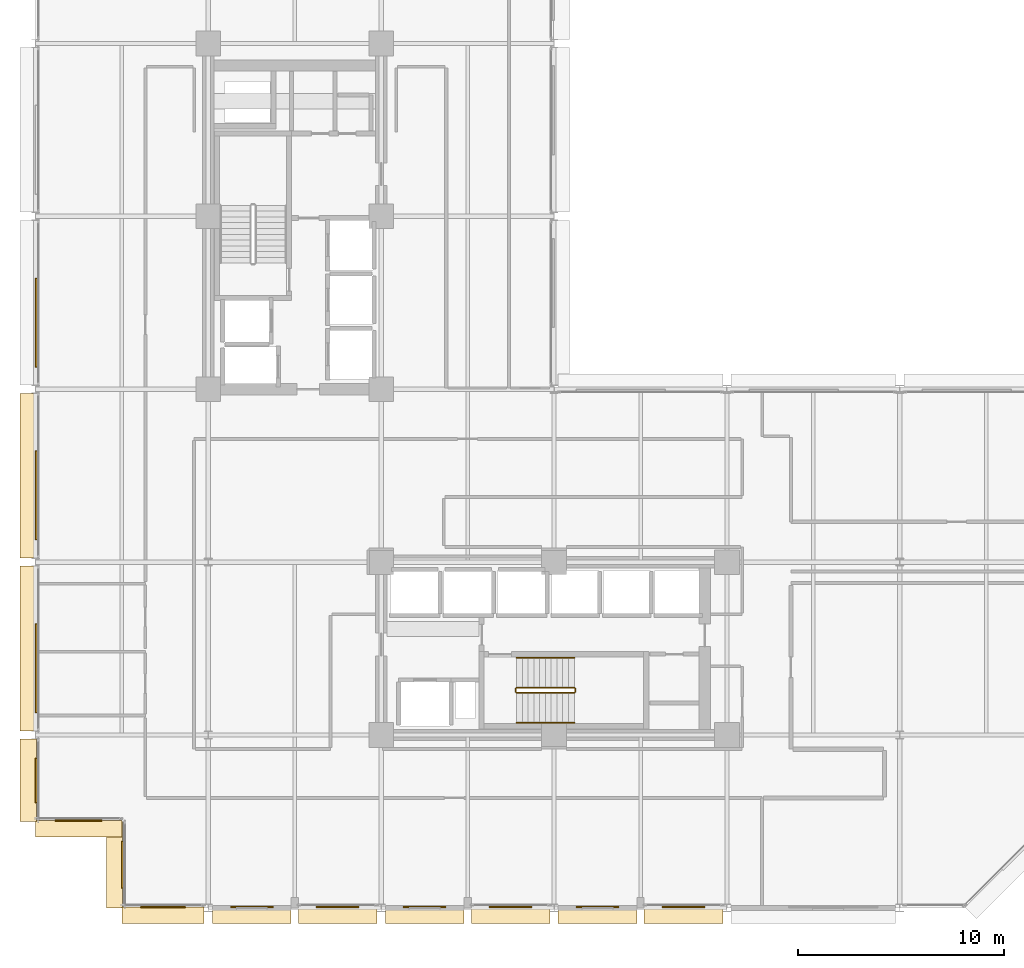
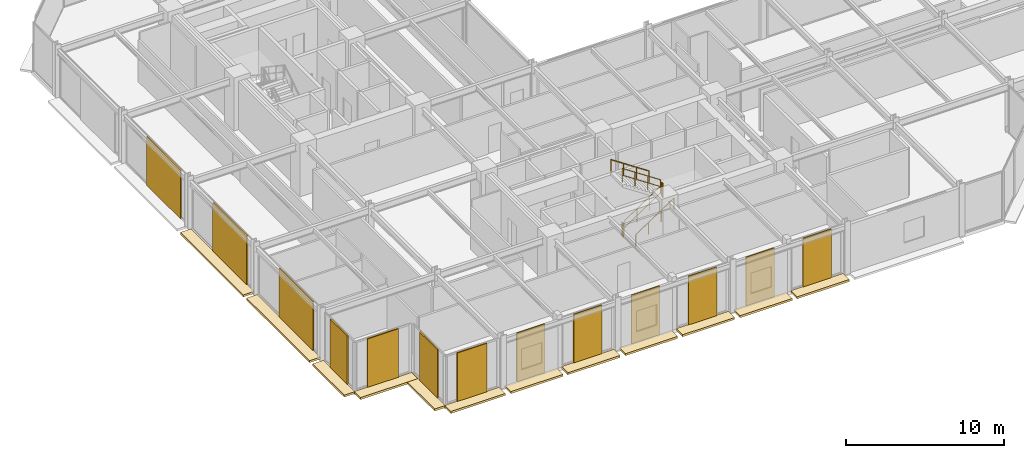
# One storey, part 37 of 40: 25 coverings, 6 railings.
"""IFC4 building model written with IfcOpenShell, lengths in metres."""

import ifcopenshell
import ifcopenshell.guid

model = None  # the IFC model being written
_history = None  # IfcOwnerHistory: only IFC2X3 demands one
_inside = {}  # id of a spatial element -> (the spatial element, [elements in it])
_under = {}  # id of a project, library or spatial element -> (it, [spatial elements below it])
_declared = {}  # id of a project -> (the project, [libraries it declares])
_typed = {}  # id of a type object -> (the type object, [elements of that type])
_made_of = {}  # id of a material, layer set ... -> (it, [elements and type objects made of it])


def new_model(schema):
    """Start an empty IFC model of exactly this schema.

    Asked for "IFC4X3", IfcOpenShell would pick the latest addendum, in which some entities
    have other attributes; the version numbers below select the first issue.
    IFC2X3 requires an IfcOwnerHistory on every rooted entity: one is made here for all.
    """
    global model, _history
    if schema == "IFC4X3":
        model = ifcopenshell.file(schema_version=(4, 3, 0, 0))
    else:
        model = ifcopenshell.file(schema=schema)
    _inside.clear()
    _under.clear()
    _declared.clear()
    _typed.clear()
    _made_of.clear()
    _history = None
    if model.schema == "IFC2X3":
        org = make("IfcOrganization", Name="unknown")
        user = make(
            "IfcPersonAndOrganization",
            ThePerson=make("IfcPerson", FamilyName="unknown"),
            TheOrganization=org,
        )
        app = make(
            "IfcApplication",
            ApplicationDeveloper=org,
            Version="unknown",
            ApplicationFullName="unknown",
            ApplicationIdentifier="unknown",
        )
        _history = make(
            "IfcOwnerHistory",
            OwningUser=user,
            OwningApplication=app,
            ChangeAction="ADDED",
            CreationDate=0,
        )
    return model


def make(cls, **values):
    """One entity of the class cls with the attributes given. An attribute that is None is left unset."""
    return model.create_entity(
        cls, **{name: value for name, value in values.items() if value is not None}
    )


def rooted(cls, **values):
    """An entity with a GlobalId (a new one), such as an element, a storey or a relation."""
    return make(cls, GlobalId=ifcopenshell.guid.new(), OwnerHistory=_history, **values)


def si_unit(unit_type, name, prefix=None):
    """IfcSIUnit, for example si_unit("LENGTHUNIT", "METRE", prefix="MILLI")."""
    return make("IfcSIUnit", UnitType=unit_type, Prefix=prefix, Name=name)


def assignment(units):
    """IfcUnitAssignment: the units of a project."""
    return None if units is None else make("IfcUnitAssignment", Units=units)


def point(xyz):
    """IfcCartesianPoint."""
    return None if xyz is None else make("IfcCartesianPoint", Coordinates=xyz)


def direction(xyz):
    """IfcDirection."""
    return None if xyz is None else make("IfcDirection", DirectionRatios=xyz)


def frame(location, z_axis=None, x_axis=None):
    """IfcAxis2Placement3D, a coordinate frame: its origin and axes. An axis left out is left unset."""
    return make(
        "IfcAxis2Placement3D",
        Location=point(location),
        Axis=direction(z_axis),
        RefDirection=direction(x_axis),
    )


def frame_2d(location, x_axis=None):
    """IfcAxis2Placement2D, a coordinate frame in the plane: its origin and x axis."""
    return make(
        "IfcAxis2Placement2D", Location=point(location), RefDirection=direction(x_axis)
    )


def origin():
    """The frame at (0, 0, 0) with its axes left unset."""
    return frame((0.0, 0.0, 0.0))


def origin_2d():
    """The frame at (0, 0) in the plane with its x axis left unset."""
    return frame_2d((0.0, 0.0))


def place(relative_to, where):
    """IfcLocalPlacement: puts the frame where relative to a parent placement (None: the world)."""
    return make(
        "IfcLocalPlacement", PlacementRelTo=relative_to, RelativePlacement=where
    )


def context(
    kind, dimensions, precision=None, world=None, true_north=None, identifier=None
):
    """IfcGeometricRepresentationContext, for example the 3D "Model" context."""
    return make(
        "IfcGeometricRepresentationContext",
        ContextIdentifier=identifier,
        ContextType=kind,
        CoordinateSpaceDimension=dimensions,
        Precision=precision,
        WorldCoordinateSystem=world,
        TrueNorth=true_north,
    )


def subcontext(parent, identifier, kind, view, scale=None):
    """IfcGeometricRepresentationSubContext, for example "Body" below "Model"."""
    return make(
        "IfcGeometricRepresentationSubContext",
        ContextIdentifier=identifier,
        ContextType=kind,
        ParentContext=parent,
        TargetScale=scale,
        TargetView=view,
    )


def project(units=None, contexts=None):
    """IfcProject with its units and contexts."""
    return rooted(
        "IfcProject",
        Name="project",
        RepresentationContexts=contexts,
        UnitsInContext=assignment(units),
    )


def spatial(cls, under=None, at=None, **own):
    """A site, building, storey or space (cls), placed at a placement, below another one or the project."""
    s = rooted(cls, ObjectPlacement=at, **own)
    if under is not None:
        _under.setdefault(under.id(), (under, []))[1].append(s)
    return s


def polyline(points):
    """IfcPolyline through the points."""
    return make("IfcPolyline", Points=[point(p) for p in points])


def profile(cls, at=None, kind="AREA", **sizes):
    """A parametric profile (cls). Its sizes go by their IFC names, for example OverallWidth=200.0."""
    return make(cls, ProfileType=kind, Position=at, **sizes)


def rectangle(**sizes):
    """IfcRectangleProfileDef."""
    return profile("IfcRectangleProfileDef", **sizes)


def circle(**sizes):
    """IfcCircleProfileDef."""
    return profile("IfcCircleProfileDef", **sizes)


def outline(outer, holes=None, kind="AREA"):
    """IfcArbitraryClosedProfileDef: a profile drawn as a closed curve; with holes, ...WithVoids."""
    if holes is None:
        return make("IfcArbitraryClosedProfileDef", ProfileType=kind, OuterCurve=outer)
    return make(
        "IfcArbitraryProfileDefWithVoids",
        ProfileType=kind,
        OuterCurve=outer,
        InnerCurves=holes,
    )


def extrude(swept, where, along, depth):
    """IfcExtrudedAreaSolid: the profile swept, set in the frame where, extruded along a direction by depth."""
    return make(
        "IfcExtrudedAreaSolid",
        SweptArea=swept,
        Position=where,
        ExtrudedDirection=direction(along),
        Depth=depth,
    )


def shape(context_of_items, identifier, shape_type, items):
    """IfcShapeRepresentation: the items that make up one representation, for example the "Body"."""
    return make(
        "IfcShapeRepresentation",
        ContextOfItems=context_of_items,
        RepresentationIdentifier=identifier,
        RepresentationType=shape_type,
        Items=items,
    )


def material(Name=None, Category=None):
    """IfcMaterial."""
    return make("IfcMaterial", Name=Name, Category=Category)


def layer(
    of_material, thickness, ventilated=None, Name=None, Category=None, Priority=None
):
    """IfcMaterialLayer: one layer of a wall or slab, of a material (None: an air gap)."""
    return make(
        "IfcMaterialLayer",
        Material=of_material,
        LayerThickness=thickness,
        IsVentilated=ventilated,
        Name=Name,
        Category=Category,
        Priority=Priority,
    )


def layer_set(layers, Name=None):
    """IfcMaterialLayerSet."""
    return make("IfcMaterialLayerSet", MaterialLayers=layers, LayerSetName=Name)


def made_of(thing, what):
    """Note that an element or type object is made of a material, layer set ...; save() writes the relation."""
    if what is not None:
        _made_of.setdefault(what.id(), (what, []))[1].append(thing)
    return thing


def type_object(cls, material=None, **own):
    """A type object (cls), such as IfcWallType, which elements share."""
    return made_of(rooted(cls, **own), material)


def element(
    cls,
    number,
    at=None,
    inside=None,
    cuts=None,
    type_object=None,
    material=None,
    context=None,
    identifier="Body",
    shape_type=None,
    held_by="IfcProductDefinitionShape",
    body=None,
    shapes=None,
    **own,
):
    """One element of the class cls, such as IfcWall. Its Tag is "e" and its number.

    at: its placement. inside: the storey or other place that contains it. cuts: it is an
    opening in that element (IfcRelVoidsElement). A single representation is given by context,
    identifier, shape_type and body (its items); several are given by shapes. held_by: the class
    of the entity that holds the representations. save() writes the other relations.
    """
    e = rooted(cls, Tag="e%d" % number, ObjectPlacement=at, **own)
    if body is not None:
        shapes = [shape(context, identifier, shape_type, body)]
    if shapes is not None:
        e.Representation = make(held_by, Representations=shapes)
    if inside is not None:
        _inside.setdefault(inside.id(), (inside, []))[1].append(e)
    if cuts is not None:
        rooted(
            "IfcRelVoidsElement", RelatingBuildingElement=cuts, RelatedOpeningElement=e
        )
    if type_object is not None:
        _typed.setdefault(type_object.id(), (type_object, []))[1].append(e)
    return made_of(e, material)


def aggregate(whole, parts):
    """IfcRelAggregates: a whole, such as a stair, and the parts it consists of."""
    return rooted("IfcRelAggregates", RelatingObject=whole, RelatedObjects=parts)


def save(model, path):
    """Write the relations noted so far, then the file.

    IfcRelAggregates (storeys below a building ...), IfcRelContainedInSpatialStructure (elements
    in a storey), IfcRelDefinesByType, IfcRelAssociatesMaterial and IfcRelDeclares: one each for
    every whole, place, type object, material and project.
    """
    for whole, parts in _under.values():
        aggregate(whole, parts)
    for where, things in _inside.values():
        rooted(
            "IfcRelContainedInSpatialStructure",
            RelatedElements=things,
            RelatingStructure=where,
        )
    for kind, things in _typed.values():
        rooted("IfcRelDefinesByType", RelatedObjects=things, RelatingType=kind)
    for what, things in _made_of.values():
        rooted("IfcRelAssociatesMaterial", RelatedObjects=things, RelatingMaterial=what)
    for by, libraries in _declared.values():
        rooted("IfcRelDeclares", RelatingContext=by, RelatedDefinitions=libraries)
    model.write(path)


model = new_model("IFC4")

# Units and contexts
model_context = context("Model", 3, precision=1e-05, world=origin(), true_north=direction((0.0, 1.0)))
body_context = subcontext(model_context, "Body", "Model", "MODEL_VIEW")
ifc_project = project(units=[si_unit("LENGTHUNIT", "METRE"), si_unit("AREAUNIT", "SQUARE_METRE"), si_unit("VOLUMEUNIT", "CUBIC_METRE"), si_unit("PLANEANGLEUNIT", "RADIAN"), si_unit("MASSUNIT", "GRAM", prefix="KILO")], contexts=[model_context])

# Site, building, storey
site_placement = place(None, origin())
site = spatial("IfcSite", under=ifc_project, at=site_placement, CompositionType="ELEMENT")
building_placement = place(site_placement, origin())
building = spatial("IfcBuilding", under=site, at=building_placement, Name="Nerrivon Quay Data Exchange", CompositionType="ELEMENT")
storey_placement = place(building_placement, frame((0.0, 0.0, 109.0)))
storey = spatial("IfcBuildingStorey", under=building, at=storey_placement, Name="L25", CompositionType="ELEMENT", Elevation=109.0)

# Coverings
ifc_material_1 = material(Name="Architectural terracotta ceramic", Category="masonry")
ifc_layer_1 = layer(ifc_material_1, 0.159912109375)
ifc_layer_set_1 = layer_set([ifc_layer_1], Name="Architectural terracotta ceramic")
covering_type_1 = type_object("IfcCoveringType", Name="COV-BLD-TERR", PredefinedType="CLADDING", material=ifc_layer_set_1)
covering_1_placement = place(storey_placement, frame((0.0, 0.0, -0.159912109375)))
element("IfcCovering", 1, at=covering_1_placement, inside=storey, type_object=covering_type_1, Name="L25 Horizontal Terracotta SOLAR SCREEN Blade", PredefinedType="CLADDING", context=body_context, shape_type="SweptSolid", body=[
    extrude(outline(polyline([(33.39990234375, 0.0400390625), (29.574951171875, 0.0400390625), (29.574951171875, -0.75), (33.39990234375, -0.75), (33.39990234375, 0.0400390625)])), origin(), (0.0, 0.0, 1.0), 0.159912109375),
])
covering_2_placement = place(storey_placement, frame((0.0, 0.0, -0.159912109375)))
element("IfcCovering", 2, at=covering_2_placement, inside=storey, type_object=covering_type_1, Name="L25 Horizontal Terracotta SOLAR SCREEN Blade", PredefinedType="CLADDING", context=body_context, shape_type="SweptSolid", body=[
    extrude(outline(polyline([(29.22509765625, 0.0400390625), (25.39990234375, 0.0400390625), (25.39990234375, -0.75), (29.22509765625, -0.75), (29.22509765625, 0.0400390625)])), origin(), (0.0, 0.0, 1.0), 0.159912109375),
])
covering_3_placement = place(storey_placement, frame((0.0, 0.0, -0.159912109375)))
element("IfcCovering", 3, at=covering_3_placement, inside=storey, type_object=covering_type_1, Name="L25 Horizontal Terracotta SOLAR SCREEN Blade", PredefinedType="CLADDING", context=body_context, shape_type="SweptSolid", body=[
    extrude(outline(polyline([(25.0, 0.0400390625), (21.175048828125, 0.0400390625), (21.175048828125, -0.75), (25.0, -0.75), (25.0, 0.0400390625)])), origin(), (0.0, 0.0, 1.0), 0.159912109375),
])
covering_4_placement = place(storey_placement, frame((0.0, 0.0, -0.159912109375)))
element("IfcCovering", 4, at=covering_4_placement, inside=storey, type_object=covering_type_1, Name="L25 Horizontal Terracotta SOLAR SCREEN Blade", PredefinedType="CLADDING", context=body_context, shape_type="SweptSolid", body=[
    extrude(outline(polyline([(20.824951171875, 0.0400390625), (17.0, 0.0400390625), (17.0, -0.75), (20.824951171875, -0.75), (20.824951171875, 0.0400390625)])), origin(), (0.0, 0.0, 1.0), 0.159912109375),
])
covering_5_placement = place(storey_placement, frame((0.0, 0.0, -0.159912109375)))
element("IfcCovering", 5, at=covering_5_placement, inside=storey, type_object=covering_type_1, Name="L25 Horizontal Terracotta SOLAR SCREEN Blade", PredefinedType="CLADDING", context=body_context, shape_type="SweptSolid", body=[
    extrude(outline(polyline([(16.60009765625, 0.0400390625), (12.77490234375, 0.0400390625), (12.77490234375, -0.75), (16.60009765625, -0.75), (16.60009765625, 0.0400390625)])), origin(), (0.0, 0.0, 1.0), 0.159912109375),
])
covering_6_placement = place(storey_placement, frame((0.0, 0.0, -0.159912109375)))
element("IfcCovering", 6, at=covering_6_placement, inside=storey, type_object=covering_type_1, Name="L25 Horizontal Terracotta SOLAR SCREEN Blade", PredefinedType="CLADDING", context=body_context, shape_type="SweptSolid", body=[
    extrude(outline(polyline([(12.425048828125, 0.0400390625), (8.60009765625, 0.0400390625), (8.60009765625, -0.75), (12.425048828125, -0.75), (12.425048828125, 0.0400390625)])), origin(), (0.0, 0.0, 1.0), 0.159912109375),
])
covering_7_placement = place(storey_placement, frame((0.0, 0.0, -0.159912109375)))
element("IfcCovering", 7, at=covering_7_placement, inside=storey, type_object=covering_type_1, Name="L25 Horizontal Terracotta SOLAR SCREEN Blade", PredefinedType="CLADDING", context=body_context, shape_type="SweptSolid", body=[
    extrude(outline(polyline([(8.199951171875, 0.0400390625), (4.199951171875, 0.0400390625), (4.199951171875, -0.75), (8.199951171875, -0.75), (8.199951171875, 0.0400390625)])), origin(), (0.0, 0.0, 1.0), 0.159912109375),
])
covering_8_placement = place(storey_placement, frame((0.0, 0.0, -0.159912109375)))
element("IfcCovering", 8, at=covering_8_placement, inside=storey, type_object=covering_type_1, Name="L25 Horizontal Terracotta SOLAR SCREEN Blade", PredefinedType="CLADDING", context=body_context, shape_type="SweptSolid", body=[
    extrude(outline(polyline([(4.239990234375, 0.0), (4.239990234375, 4.199951171875), (3.449951171875, 4.199951171875), (3.449951171875, 0.0), (4.239990234375, 0.0)])), origin(), (0.0, 0.0, 1.0), 0.159912109375),
])
covering_9_placement = place(storey_placement, frame((0.0, 0.0, -0.159912109375)))
element("IfcCovering", 9, at=covering_9_placement, inside=storey, type_object=covering_type_1, Name="L25 Horizontal Terracotta SOLAR SCREEN Blade", PredefinedType="CLADDING", context=body_context, shape_type="SweptSolid", body=[
    extrude(outline(polyline([(4.199951171875, 4.239990234375), (0.0, 4.239990234375), (0.0, 3.449951171875), (4.199951171875, 3.449951171875), (4.199951171875, 4.239990234375)])), origin(), (0.0, 0.0, 1.0), 0.159912109375),
])
covering_10_placement = place(storey_placement, frame((0.0, 0.0, -0.159912109375)))
element("IfcCovering", 10, at=covering_10_placement, inside=storey, type_object=covering_type_1, Name="L25 Horizontal Terracotta SOLAR SCREEN Blade", PredefinedType="CLADDING", context=body_context, shape_type="SweptSolid", body=[
    extrude(outline(polyline([(0.0400390625, 4.199951171875), (0.0400390625, 8.199951171875), (-0.75, 8.199951171875), (-0.75, 4.199951171875), (0.0400390625, 4.199951171875)])), origin(), (0.0, 0.0, 1.0), 0.159912109375),
])
covering_11_placement = place(storey_placement, frame((0.0, 0.0, -0.159912109375)))
element("IfcCovering", 11, at=covering_11_placement, inside=storey, type_object=covering_type_1, Name="L25 Horizontal Terracotta SOLAR SCREEN Blade", PredefinedType="CLADDING", context=body_context, shape_type="SweptSolid", body=[
    extrude(outline(polyline([(0.0400390625, 8.60009765625), (0.0400390625, 16.60009765625), (-0.75, 16.60009765625), (-0.75, 8.60009765625), (0.0400390625, 8.60009765625)])), origin(), (0.0, 0.0, 1.0), 0.159912109375),
])
covering_12_placement = place(storey_placement, frame((0.0, 0.0, -0.159912109375)))
element("IfcCovering", 12, at=covering_12_placement, inside=storey, type_object=covering_type_1, Name="L25 Horizontal Terracotta SOLAR SCREEN Blade", PredefinedType="CLADDING", context=body_context, shape_type="SweptSolid", body=[
    extrude(outline(polyline([(0.0400390625, 17.0), (0.0400390625, 25.0), (-0.75, 25.0), (-0.75, 17.0), (0.0400390625, 17.0)])), origin(), (0.0, 0.0, 1.0), 0.159912109375),
])
ifc_layer_2 = layer(ifc_material_1, 0.090087890625)
ifc_layer_set_2 = layer_set([ifc_layer_2], Name="Architectural terracotta ceramic")
covering_type_2 = type_object("IfcCoveringType", Name="COV-SCR-TERR", PredefinedType="CLADDING", material=ifc_layer_set_2)
covering_13_placement = place(storey_placement, frame((31.487548828125, 0.044921875, 0.0), z_axis=(0.0, 0.0, 1.0), x_axis=(-1.0, 0.0, 0.0)))
element("IfcCovering", 13, at=covering_13_placement, inside=storey, type_object=covering_type_2, Name="L25 Perforated Terracotta SOLAR SCREEN Cassette", PredefinedType="CLADDING", context=body_context, shape_type="SweptSolid", body=[
    extrude(rectangle(XDim=2.06494140625, YDim=0.090087890625, at=origin_2d()), origin(), (0.0, 0.0, 1.0), 3.75),
])
covering_14_placement = place(storey_placement, frame((27.3125, 0.044921875, 0.0), z_axis=(0.0, 0.0, 1.0), x_axis=(-1.0, 0.0, 0.0)))
element("IfcCovering", 14, at=covering_14_placement, inside=storey, type_object=covering_type_2, Name="L25 Perforated Terracotta SOLAR SCREEN Cassette", PredefinedType="CLADDING", context=body_context, shape_type="SweptSolid", body=[
    extrude(rectangle(XDim=2.06591796875, YDim=0.090087890625, at=origin_2d()), origin(), (0.0, 0.0, 1.0), 3.75),
])
for number, where, z_axis, x_axis, name in (
    (15, (23.08740234375, 0.044921875, 0.0), (0.0, 0.0, 1.0), (-1.0, 0.0, 0.0), "L25 Perforated Terracotta SOLAR SCREEN Cassette"),
    (16, (18.91259765625, 0.044921875, 0.0), (0.0, 0.0, 1.0), (-1.0, 0.0, 0.0), "L25 Perforated Terracotta SOLAR SCREEN Cassette"),
):
    element("IfcCovering", number, at=place(storey_placement, frame(where, z_axis=z_axis, x_axis=x_axis)), inside=storey, type_object=covering_type_2, Name=name, PredefinedType="CLADDING", context=body_context, shape_type="SweptSolid", body=[
        extrude(rectangle(XDim=2.06494140625, YDim=0.090087890625, at=origin_2d()), origin(), (0.0, 0.0, 1.0), 3.75),
    ])
for number, where, z_axis, x_axis, name in (
    (17, (14.6875, 0.044921875, 0.0), (0.0, 0.0, 1.0), (-1.0, 0.0, 0.0), "L25 Perforated Terracotta SOLAR SCREEN Cassette"),
    (18, (10.512451171875, 0.044921875, 0.0), (0.0, 0.0, 1.0), (-1.0, 0.0, 0.0), "L25 Perforated Terracotta SOLAR SCREEN Cassette"),
):
    element("IfcCovering", number, at=place(storey_placement, frame(where, z_axis=z_axis, x_axis=x_axis)), inside=storey, type_object=covering_type_2, Name=name, PredefinedType="CLADDING", context=body_context, shape_type="SweptSolid", body=[
        extrude(rectangle(XDim=2.06591796875, YDim=0.090087890625, at=origin_2d()), origin(), (0.0, 0.0, 1.0), 3.75),
    ])
covering_15_placement = place(storey_placement, frame((6.199951171875, 0.044921875, 0.0), z_axis=(0.0, 0.0, 1.0), x_axis=(-1.0, 0.0, 0.0)))
element("IfcCovering", 19, at=covering_15_placement, inside=storey, type_object=covering_type_2, Name="L25 Perforated Terracotta SOLAR SCREEN Cassette", PredefinedType="CLADDING", context=body_context, shape_type="SweptSolid", body=[
    extrude(rectangle(XDim=2.159912109375, YDim=0.090087890625, at=origin_2d()), origin(), (0.0, 0.0, 1.0), 3.75),
])
for number, where, z_axis, x_axis, name in (
    (20, (4.2451171875, 2.10009765625, 0.0), (0.0, 0.0, 1.0), (0.0, 1.0, 0.0), "L25 Perforated Terracotta SOLAR SCREEN Cassette"),
    (21, (2.10009765625, 4.2451171875, 0.0), (0.0, 0.0, 1.0), (-1.0, 0.0, 0.0), "L25 Perforated Terracotta SOLAR SCREEN Cassette"),
):
    element("IfcCovering", number, at=place(storey_placement, frame(where, z_axis=z_axis, x_axis=x_axis)), inside=storey, type_object=covering_type_2, Name=name, PredefinedType="CLADDING", context=body_context, shape_type="SweptSolid", body=[
        extrude(rectangle(XDim=2.26806640625, YDim=0.090087890625, at=origin_2d()), origin(), (0.0, 0.0, 1.0), 3.75),
    ])
covering_16_placement = place(storey_placement, frame((0.044921875, 6.199951171875, 0.0), z_axis=(0.0, 0.0, 1.0), x_axis=(0.0, 1.0, 0.0)))
element("IfcCovering", 22, at=covering_16_placement, inside=storey, type_object=covering_type_2, Name="L25 Perforated Terracotta SOLAR SCREEN Cassette", PredefinedType="CLADDING", context=body_context, shape_type="SweptSolid", body=[
    extrude(rectangle(XDim=2.159912109375, YDim=0.090087890625, at=origin_2d()), origin(), (0.0, 0.0, 1.0), 3.75),
])
for number, where, z_axis, x_axis, name in (
    (23, (0.044921875, 11.639892578125, 0.0), (0.0, 0.0, 1.0), (0.0, 1.0, 0.0), "L25 Perforated Terracotta SOLAR SCREEN Cassette"),
    (24, (0.044921875, 20.0400390625, 0.0), (0.0, 0.0, 1.0), (0.0, 1.0, 0.0), "L25 Perforated Terracotta SOLAR SCREEN Cassette"),
    (25, (0.044921875, 28.43994140625, 0.0), (0.0, 0.0, 1.0), (0.0, 1.0, 0.0), "L25 Perforated Terracotta SOLAR SCREEN Cassette"),
):
    element("IfcCovering", number, at=place(storey_placement, frame(where, z_axis=z_axis, x_axis=x_axis)), inside=storey, type_object=covering_type_2, Name=name, PredefinedType="CLADDING", context=body_context, shape_type="SweptSolid", body=[
        extrude(rectangle(XDim=4.320068359375, YDim=0.090087890625, at=origin_2d()), origin(), (0.0, 0.0, 1.0), 3.75),
    ])

# Railings
ifc_material_2 = material(Name="Steel Grade C350L0 (350 MPa)", Category="steel")
railing_type_1 = type_object("IfcRailingType", Name="RAIL-HAND-HR1", PredefinedType="HANDRAIL", material=ifc_material_2)
railing_1_placement = place(storey_placement, frame((23.3798828125, 9.0, 0.186279296875)))
element("IfcRailing", 26, at=railing_1_placement, inside=storey, type_object=railing_type_1, Name="L25 ST02 stair handrail 1", PredefinedType="HANDRAIL", context=body_context, shape_type="SweptSolid", body=[
    extrude(circle(Radius=0.02392578125, at=origin_2d()), frame((0.0, 0.0, 0.8759765625), z_axis=(0.832452072856, 0.0, 0.554097055034), x_axis=(0.0, 1.0, 0.0)), (0.0, 0.0, 1.0), 3.363525390625),
    extrude(circle(Radius=0.02099609375, at=origin_2d()), origin(), (0.0, 0.0, 1.0), 0.851806640625),
    extrude(circle(Radius=0.02099609375, at=origin_2d()), frame((0.933349609375, 0.0, 0.621337890625)), (0.0, 0.0, 1.0), 0.851806640625),
    extrude(circle(Radius=0.02099609375, at=origin_2d()), frame((1.86669921875, 0.0, 1.242431640625)), (0.0, 0.0, 1.0), 0.851806640625),
    extrude(circle(Radius=0.02099609375, at=origin_2d()), frame((2.800048828125, 0.0, 1.86376953125)), (0.0, 0.0, 1.0), 0.851806640625),
])
railing_2_placement = place(storey_placement, frame((26.179931640625, 12.14990234375, 2.236328125)))
element("IfcRailing", 27, at=railing_2_placement, inside=storey, type_object=railing_type_1, Name="L25 ST02 stair handrail 2", PredefinedType="HANDRAIL", context=body_context, shape_type="SweptSolid", body=[
    extrude(circle(Radius=0.02392578125, at=origin_2d()), frame((0.0, 0.0, 0.8759765625), z_axis=(-0.832452072856, 0.0, 0.554097055034), x_axis=(0.0, -1.0, 0.0)), (0.0, 0.0, 1.0), 3.363525390625),
    extrude(circle(Radius=0.02099609375, at=origin_2d()), origin(), (0.0, 0.0, 1.0), 0.851806640625),
    extrude(circle(Radius=0.02099609375, at=origin_2d()), frame((-0.933349609375, 0.0, 0.621337890625)), (0.0, 0.0, 1.0), 0.851806640625),
    extrude(circle(Radius=0.02099609375, at=origin_2d()), frame((-1.86669921875, 0.0, 1.242431640625)), (0.0, 0.0, 1.0), 0.851806640625),
    extrude(circle(Radius=0.02099609375, at=origin_2d()), frame((-2.800048828125, 0.0, 1.86376953125)), (0.0, 0.0, 1.0), 0.851806640625),
])
railing_type_2 = type_object("IfcRailingType", Name="RAIL-STAIR-GR1", PredefinedType="BALUSTRADE", material=ifc_material_2)
railing_3_placement = place(storey_placement, frame((23.3798828125, 10.449951171875, 0.186279296875)))
element("IfcRailing", 28, at=railing_3_placement, inside=storey, type_object=railing_type_2, Name="L25 ST02 stair guard 1", PredefinedType="BALUSTRADE", context=body_context, shape_type="SweptSolid", body=[
    extrude(circle(Radius=0.02392578125, at=origin_2d()), frame((0.0, 0.0, 1.076171875), z_axis=(0.832452072856, 0.0, 0.554097055034), x_axis=(0.0, 1.0, 0.0)), (0.0, 0.0, 1.0), 3.363525390625),
    extrude(circle(Radius=0.02392578125, at=origin_2d()), frame((0.0, 0.0, 0.550048828125), z_axis=(0.832452072856, 0.0, 0.554097055034), x_axis=(0.0, 1.0, 0.0)), (0.0, 0.0, 1.0), 3.363525390625),
    extrude(circle(Radius=0.02099609375, at=origin_2d()), origin(), (0.0, 0.0, 1.0), 1.052001953125),
    extrude(circle(Radius=0.02099609375, at=origin_2d()), frame((0.933349609375, 0.0, 0.621337890625)), (0.0, 0.0, 1.0), 1.052001953125),
    extrude(circle(Radius=0.02099609375, at=origin_2d()), frame((1.86669921875, 0.0, 1.242431640625)), (0.0, 0.0, 1.0), 1.052001953125),
    extrude(circle(Radius=0.02099609375, at=origin_2d()), frame((2.800048828125, 0.0, 1.86376953125)), (0.0, 0.0, 1.0), 1.052001953125),
])
railing_4_placement = place(storey_placement, frame((26.22998046875, 10.5, 2.050048828125)))
element("IfcRailing", 29, at=railing_4_placement, inside=storey, type_object=railing_type_2, Name="L25 ST02 stair guard 2", PredefinedType="BALUSTRADE", context=body_context, shape_type="SweptSolid", body=[
    extrude(circle(Radius=0.02392578125, at=origin_2d()), frame((0.0, 0.0, 1.076171875), z_axis=(0.0, 1.0, 0.0), x_axis=(-1.0, 0.0, 0.0)), (0.0, 0.0, 1.0), 0.14990234375),
    extrude(circle(Radius=0.02392578125, at=origin_2d()), frame((0.0, 0.0, 0.550048828125), z_axis=(0.0, 1.0, 0.0), x_axis=(-1.0, 0.0, 0.0)), (0.0, 0.0, 1.0), 0.14990234375),
    extrude(circle(Radius=0.02099609375, at=origin_2d()), origin(), (0.0, 0.0, 1.0), 1.052001953125),
    extrude(circle(Radius=0.02099609375, at=origin_2d()), frame((0.0, 0.14990234375, 0.0)), (0.0, 0.0, 1.0), 1.052001953125),
])
railing_5_placement = place(storey_placement, frame((26.179931640625, 10.699951171875, 2.236328125)))
element("IfcRailing", 30, at=railing_5_placement, inside=storey, type_object=railing_type_2, Name="L25 ST02 stair guard 3", PredefinedType="BALUSTRADE", context=body_context, shape_type="SweptSolid", body=[
    extrude(circle(Radius=0.02392578125, at=origin_2d()), frame((0.0, 0.0, 1.076171875), z_axis=(-0.832452072856, 0.0, 0.554097055034), x_axis=(0.0, -1.0, 0.0)), (0.0, 0.0, 1.0), 3.363525390625),
    extrude(circle(Radius=0.02392578125, at=origin_2d()), frame((0.0, 0.0, 0.550048828125), z_axis=(-0.832452072856, 0.0, 0.554097055034), x_axis=(0.0, -1.0, 0.0)), (0.0, 0.0, 1.0), 3.363525390625),
    extrude(circle(Radius=0.02099609375, at=origin_2d()), origin(), (0.0, 0.0, 1.0), 1.052001953125),
    extrude(circle(Radius=0.02099609375, at=origin_2d()), frame((-0.933349609375, 0.0, 0.621337890625)), (0.0, 0.0, 1.0), 1.052001953125),
    extrude(circle(Radius=0.02099609375, at=origin_2d()), frame((-1.86669921875, 0.0, 1.242431640625)), (0.0, 0.0, 1.0), 1.052001953125),
    extrude(circle(Radius=0.02099609375, at=origin_2d()), frame((-2.800048828125, 0.0, 1.86376953125)), (0.0, 0.0, 1.0), 1.052001953125),
])
railing_6_placement = place(storey_placement, frame((23.330078125, 10.5, 0.0)))
element("IfcRailing", 31, at=railing_6_placement, inside=storey, type_object=railing_type_2, Name="L25 ST02 stair guard 4", PredefinedType="BALUSTRADE", context=body_context, shape_type="SweptSolid", body=[
    extrude(circle(Radius=0.02392578125, at=origin_2d()), frame((0.0, 0.0, 1.076171875), z_axis=(0.0, 1.0, 0.0), x_axis=(-1.0, 0.0, 0.0)), (0.0, 0.0, 1.0), 0.14990234375),
    extrude(circle(Radius=0.02392578125, at=origin_2d()), frame((0.0, 0.0, 0.550048828125), z_axis=(0.0, 1.0, 0.0), x_axis=(-1.0, 0.0, 0.0)), (0.0, 0.0, 1.0), 0.14990234375),
    extrude(circle(Radius=0.02099609375, at=origin_2d()), origin(), (0.0, 0.0, 1.0), 1.052001953125),
    extrude(circle(Radius=0.02099609375, at=origin_2d()), frame((0.0, 0.14990234375, 0.0)), (0.0, 0.0, 1.0), 1.052001953125),
])

save(model, "model.ifc")
